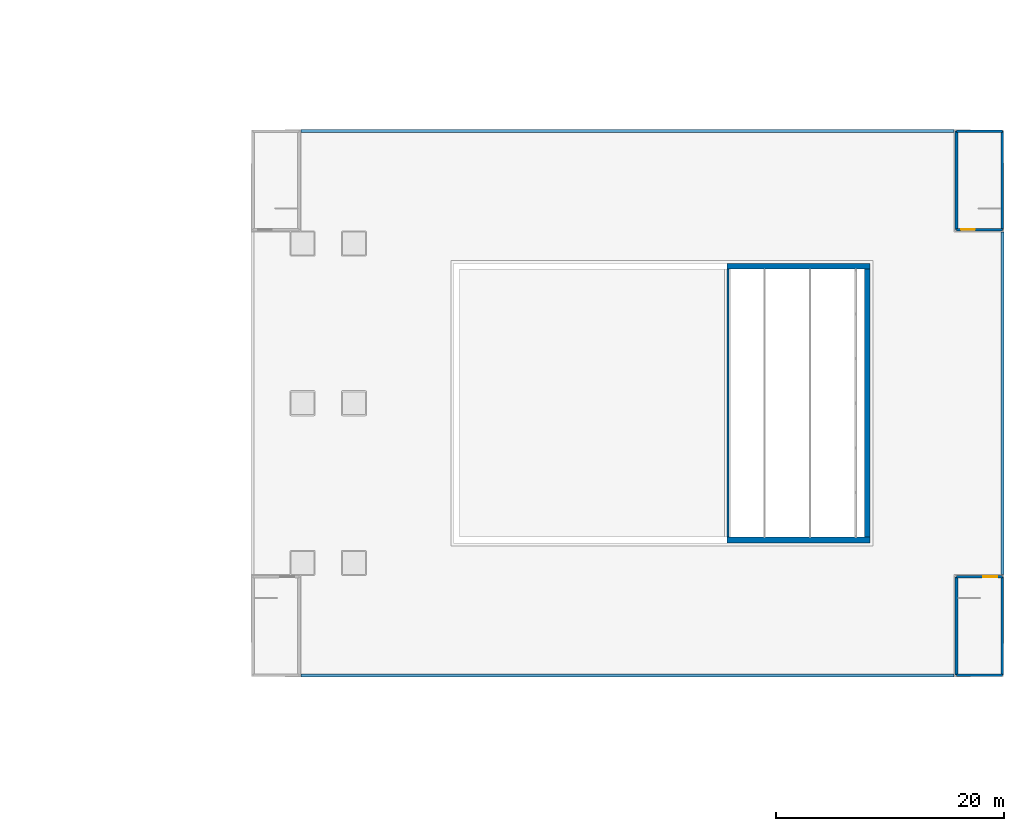
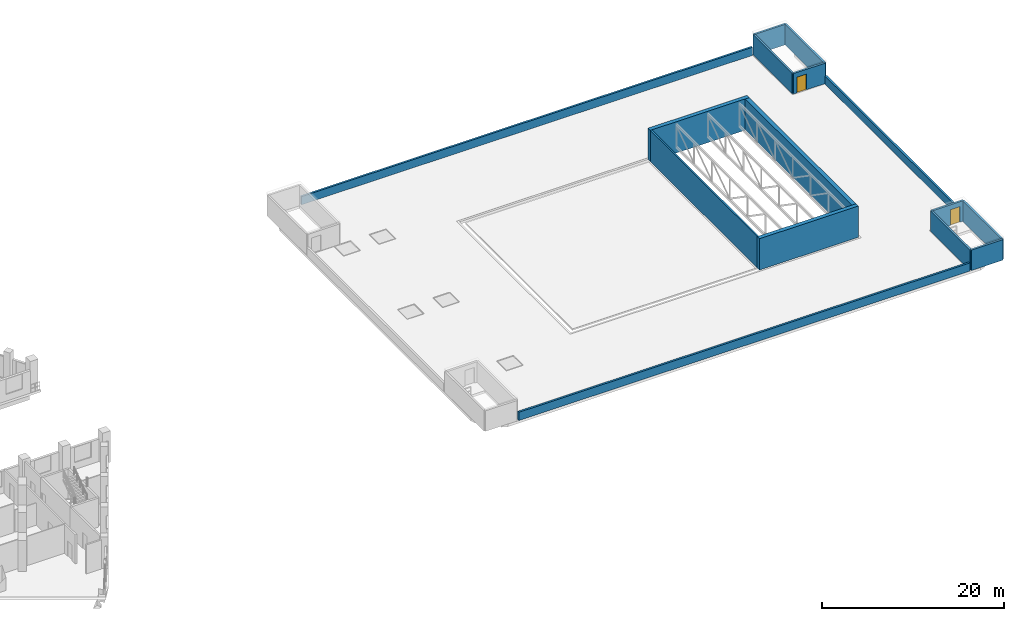
# One storey, part 25 of 33: 15 walls, 2 doors, 2 openings.
"""IFC4 building model written with IfcOpenShell, lengths in metres."""

import ifcopenshell
import ifcopenshell.guid

model = None  # the IFC model being written
_history = None  # IfcOwnerHistory: only IFC2X3 demands one
_inside = {}  # id of a spatial element -> (the spatial element, [elements in it])
_under = {}  # id of a project, library or spatial element -> (it, [spatial elements below it])
_declared = {}  # id of a project -> (the project, [libraries it declares])
_typed = {}  # id of a type object -> (the type object, [elements of that type])
_made_of = {}  # id of a material, layer set ... -> (it, [elements and type objects made of it])


def new_model(schema):
    """Start an empty IFC model of exactly this schema.

    Asked for "IFC4X3", IfcOpenShell would pick the latest addendum, in which some entities
    have other attributes; the version numbers below select the first issue.
    IFC2X3 requires an IfcOwnerHistory on every rooted entity: one is made here for all.
    """
    global model, _history
    if schema == "IFC4X3":
        model = ifcopenshell.file(schema_version=(4, 3, 0, 0))
    else:
        model = ifcopenshell.file(schema=schema)
    _inside.clear()
    _under.clear()
    _declared.clear()
    _typed.clear()
    _made_of.clear()
    _history = None
    if model.schema == "IFC2X3":
        org = make("IfcOrganization", Name="unknown")
        user = make(
            "IfcPersonAndOrganization",
            ThePerson=make("IfcPerson", FamilyName="unknown"),
            TheOrganization=org,
        )
        app = make(
            "IfcApplication",
            ApplicationDeveloper=org,
            Version="unknown",
            ApplicationFullName="unknown",
            ApplicationIdentifier="unknown",
        )
        _history = make(
            "IfcOwnerHistory",
            OwningUser=user,
            OwningApplication=app,
            ChangeAction="ADDED",
            CreationDate=0,
        )
    return model


def make(cls, **values):
    """One entity of the class cls with the attributes given. An attribute that is None is left unset."""
    return model.create_entity(
        cls, **{name: value for name, value in values.items() if value is not None}
    )


def rooted(cls, **values):
    """An entity with a GlobalId (a new one), such as an element, a storey or a relation."""
    return make(cls, GlobalId=ifcopenshell.guid.new(), OwnerHistory=_history, **values)


def si_unit(unit_type, name, prefix=None):
    """IfcSIUnit, for example si_unit("LENGTHUNIT", "METRE", prefix="MILLI")."""
    return make("IfcSIUnit", UnitType=unit_type, Prefix=prefix, Name=name)


def assignment(units):
    """IfcUnitAssignment: the units of a project."""
    return None if units is None else make("IfcUnitAssignment", Units=units)


def point(xyz):
    """IfcCartesianPoint."""
    return None if xyz is None else make("IfcCartesianPoint", Coordinates=xyz)


def direction(xyz):
    """IfcDirection."""
    return None if xyz is None else make("IfcDirection", DirectionRatios=xyz)


def frame(location, z_axis=None, x_axis=None):
    """IfcAxis2Placement3D, a coordinate frame: its origin and axes. An axis left out is left unset."""
    return make(
        "IfcAxis2Placement3D",
        Location=point(location),
        Axis=direction(z_axis),
        RefDirection=direction(x_axis),
    )


def frame_2d(location, x_axis=None):
    """IfcAxis2Placement2D, a coordinate frame in the plane: its origin and x axis."""
    return make(
        "IfcAxis2Placement2D", Location=point(location), RefDirection=direction(x_axis)
    )


def origin():
    """The frame at (0, 0, 0) with its axes left unset."""
    return frame((0.0, 0.0, 0.0))


def place(relative_to, where):
    """IfcLocalPlacement: puts the frame where relative to a parent placement (None: the world)."""
    return make(
        "IfcLocalPlacement", PlacementRelTo=relative_to, RelativePlacement=where
    )


def context(
    kind, dimensions, precision=None, world=None, true_north=None, identifier=None
):
    """IfcGeometricRepresentationContext, for example the 3D "Model" context."""
    return make(
        "IfcGeometricRepresentationContext",
        ContextIdentifier=identifier,
        ContextType=kind,
        CoordinateSpaceDimension=dimensions,
        Precision=precision,
        WorldCoordinateSystem=world,
        TrueNorth=true_north,
    )


def subcontext(parent, identifier, kind, view, scale=None):
    """IfcGeometricRepresentationSubContext, for example "Body" below "Model"."""
    return make(
        "IfcGeometricRepresentationSubContext",
        ContextIdentifier=identifier,
        ContextType=kind,
        ParentContext=parent,
        TargetScale=scale,
        TargetView=view,
    )


def project(units=None, contexts=None):
    """IfcProject with its units and contexts."""
    return rooted(
        "IfcProject",
        Name="project",
        RepresentationContexts=contexts,
        UnitsInContext=assignment(units),
    )


def spatial(cls, under=None, at=None, **own):
    """A site, building, storey or space (cls), placed at a placement, below another one or the project."""
    s = rooted(cls, ObjectPlacement=at, **own)
    if under is not None:
        _under.setdefault(under.id(), (under, []))[1].append(s)
    return s


def profile(cls, at=None, kind="AREA", **sizes):
    """A parametric profile (cls). Its sizes go by their IFC names, for example OverallWidth=200.0."""
    return make(cls, ProfileType=kind, Position=at, **sizes)


def rectangle(**sizes):
    """IfcRectangleProfileDef."""
    return profile("IfcRectangleProfileDef", **sizes)


def extrude(swept, where, along, depth):
    """IfcExtrudedAreaSolid: the profile swept, set in the frame where, extruded along a direction by depth."""
    return make(
        "IfcExtrudedAreaSolid",
        SweptArea=swept,
        Position=where,
        ExtrudedDirection=direction(along),
        Depth=depth,
    )


def shape(context_of_items, identifier, shape_type, items):
    """IfcShapeRepresentation: the items that make up one representation, for example the "Body"."""
    return make(
        "IfcShapeRepresentation",
        ContextOfItems=context_of_items,
        RepresentationIdentifier=identifier,
        RepresentationType=shape_type,
        Items=items,
    )


def material(Name=None, Category=None):
    """IfcMaterial."""
    return make("IfcMaterial", Name=Name, Category=Category)


def layer(
    of_material, thickness, ventilated=None, Name=None, Category=None, Priority=None
):
    """IfcMaterialLayer: one layer of a wall or slab, of a material (None: an air gap)."""
    return make(
        "IfcMaterialLayer",
        Material=of_material,
        LayerThickness=thickness,
        IsVentilated=ventilated,
        Name=Name,
        Category=Category,
        Priority=Priority,
    )


def layer_set(layers, Name=None):
    """IfcMaterialLayerSet."""
    return make("IfcMaterialLayerSet", MaterialLayers=layers, LayerSetName=Name)


def made_of(thing, what):
    """Note that an element or type object is made of a material, layer set ...; save() writes the relation."""
    if what is not None:
        _made_of.setdefault(what.id(), (what, []))[1].append(thing)
    return thing


def type_object(cls, material=None, **own):
    """A type object (cls), such as IfcWallType, which elements share."""
    return made_of(rooted(cls, **own), material)


def element(
    cls,
    number,
    at=None,
    inside=None,
    cuts=None,
    type_object=None,
    material=None,
    context=None,
    identifier="Body",
    shape_type=None,
    held_by="IfcProductDefinitionShape",
    body=None,
    shapes=None,
    **own,
):
    """One element of the class cls, such as IfcWall. Its Tag is "e" and its number.

    at: its placement. inside: the storey or other place that contains it. cuts: it is an
    opening in that element (IfcRelVoidsElement). A single representation is given by context,
    identifier, shape_type and body (its items); several are given by shapes. held_by: the class
    of the entity that holds the representations. save() writes the other relations.
    """
    e = rooted(cls, Tag="e%d" % number, ObjectPlacement=at, **own)
    if body is not None:
        shapes = [shape(context, identifier, shape_type, body)]
    if shapes is not None:
        e.Representation = make(held_by, Representations=shapes)
    if inside is not None:
        _inside.setdefault(inside.id(), (inside, []))[1].append(e)
    if cuts is not None:
        rooted(
            "IfcRelVoidsElement", RelatingBuildingElement=cuts, RelatedOpeningElement=e
        )
    if type_object is not None:
        _typed.setdefault(type_object.id(), (type_object, []))[1].append(e)
    return made_of(e, material)


def fill(opening, filler):
    """IfcRelFillsElement: the door or window that sits in an opening."""
    return rooted(
        "IfcRelFillsElement",
        RelatingOpeningElement=opening,
        RelatedBuildingElement=filler,
    )


def aggregate(whole, parts):
    """IfcRelAggregates: a whole, such as a stair, and the parts it consists of."""
    return rooted("IfcRelAggregates", RelatingObject=whole, RelatedObjects=parts)


def save(model, path):
    """Write the relations noted so far, then the file.

    IfcRelAggregates (storeys below a building ...), IfcRelContainedInSpatialStructure (elements
    in a storey), IfcRelDefinesByType, IfcRelAssociatesMaterial and IfcRelDeclares: one each for
    every whole, place, type object, material and project.
    """
    for whole, parts in _under.values():
        aggregate(whole, parts)
    for where, things in _inside.values():
        rooted(
            "IfcRelContainedInSpatialStructure",
            RelatedElements=things,
            RelatingStructure=where,
        )
    for kind, things in _typed.values():
        rooted("IfcRelDefinesByType", RelatedObjects=things, RelatingType=kind)
    for what, things in _made_of.values():
        rooted("IfcRelAssociatesMaterial", RelatedObjects=things, RelatingMaterial=what)
    for by, libraries in _declared.values():
        rooted("IfcRelDeclares", RelatingContext=by, RelatedDefinitions=libraries)
    model.write(path)


model = new_model("IFC4")

# Units and contexts
model_context = context("Model", 3, precision=1e-05, world=origin(), true_north=direction((0.0, 1.0)))
body_context = subcontext(model_context, "Body", "Model", "MODEL_VIEW")
ifc_project = project(units=[si_unit("LENGTHUNIT", "METRE"), si_unit("AREAUNIT", "SQUARE_METRE"), si_unit("VOLUMEUNIT", "CUBIC_METRE"), si_unit("PLANEANGLEUNIT", "RADIAN"), si_unit("MASSUNIT", "GRAM", prefix="KILO")], contexts=[model_context])

# Site, building, storey
site_placement = place(None, origin())
site = spatial("IfcSite", under=ifc_project, at=site_placement, CompositionType="ELEMENT")
building_placement = place(site_placement, origin())
building = spatial("IfcBuilding", under=site, at=building_placement, Name="Nakaniwa Court", CompositionType="ELEMENT")
storey_placement = place(building_placement, frame((0.0, 0.0, 19.800048828125)))
storey = spatial("IfcBuildingStorey", under=building, at=storey_placement, Name="L04", CompositionType="ELEMENT", Elevation=19.800048828125)

# Walls
ifc_material_1 = material(Name="Concrete C50/60", Category="concrete")
ifc_layer_1 = layer(ifc_material_1, 0.25)
ifc_layer_set_1 = layer_set([ifc_layer_1], Name="Concrete C50/60")
wall_type_1 = type_object("IfcWallType", Name="Fair faced concrete parapet 250", PredefinedType="PARAPET", material=ifc_layer_set_1)
wall_1_placement = place(storey_placement, frame((156.375, 103.875, 0.0), z_axis=(0.0, 0.0, 1.0), x_axis=(1.0, 0.0, 0.0)))
element("IfcWall", 1, at=wall_1_placement, inside=storey, type_object=wall_type_1, Name="Roof parapet 2", PredefinedType="PARAPET", context=body_context, shape_type="SweptSolid", body=[
    extrude(rectangle(XDim=57.25, YDim=0.25, at=frame_2d((28.625, 0.0))), origin(), (0.0, 0.0, 1.0), 1.099853515625),
])
wall_2_placement = place(storey_placement, frame((217.875, 95.014892578125, 0.0), z_axis=(0.0, 0.0, 1.0), x_axis=(0.0, -1.0, 0.0)))
element("IfcWall", 2, at=wall_2_placement, inside=storey, type_object=wall_type_1, Name="Roof parapet 3", PredefinedType="PARAPET", context=body_context, shape_type="SweptSolid", body=[
    extrude(rectangle(XDim=30.02978515625, YDim=0.25, at=frame_2d((15.014892578125, 0.0))), origin(), (0.0, 0.0, 1.0), 1.099853515625),
])
wall_3_placement = place(storey_placement, frame((213.625, 56.125, 0.0), z_axis=(0.0, 0.0, 1.0), x_axis=(-1.0, 0.0, 0.0)))
element("IfcWall", 3, at=wall_3_placement, inside=storey, type_object=wall_type_1, Name="Roof parapet 4", PredefinedType="PARAPET", context=body_context, shape_type="SweptSolid", body=[
    extrude(rectangle(XDim=57.25, YDim=0.25, at=frame_2d((28.625, 0.0))), origin(), (0.0, 0.0, 1.0), 1.099853515625),
])
ifc_material_2 = material(Name="Precast concrete C50/60 sandwich panel wall with insulation", Category="concrete")
ifc_layer_2 = layer(ifc_material_2, 0.199951171875)
ifc_layer_set_2 = layer_set([ifc_layer_2], Name="Precast concrete C50/60 sandwich panel wall with insulation")
wall_type_2 = type_object("IfcWallType", Name="Fly tower insulated cladding wall 200", PredefinedType="SOLIDWALL", material=ifc_layer_set_2)
wall_4_placement = place(storey_placement, frame((193.800048828125, 91.75, 0.0), z_axis=(0.0, 0.0, 1.0), x_axis=(0.0, -1.0, 0.0)))
element("IfcWall", 4, at=wall_4_placement, inside=storey, type_object=wall_type_2, Name="Stage house west cladding wall L04", PredefinedType="SOLIDWALL", context=body_context, shape_type="SweptSolid", body=[
    extrude(rectangle(XDim=23.5, YDim=0.199951171875, at=frame_2d((11.75, 0.0))), origin(), (0.0, 0.0, 1.0), 4.199951171875),
])
ifc_layer_3 = layer(ifc_material_1, 0.5)
ifc_layer_set_3 = layer_set([ifc_layer_3], Name="Concrete C50/60")
wall_type_3 = type_object("IfcWallType", Name="Stage house reinforced concrete wall 500", PredefinedType="SHEAR", material=ifc_layer_set_3)
for number, where, z_axis, x_axis, name in (
    (5, (206.25, 68.0, 0.0), (0.0, 0.0, 1.0), (-1.0, 0.0, 0.0), "Stage house south wall L04"),
    (6, (193.699951171875, 92.0, 0.0), (0.0, 0.0, 1.0), (1.0, 0.0, 0.0), "Stage house north wall L04"),
):
    element("IfcWall", number, at=place(storey_placement, frame(where, z_axis=z_axis, x_axis=x_axis)), inside=storey, type_object=wall_type_3, Name=name, PredefinedType="SHEAR", context=body_context, shape_type="SweptSolid", body=[
        extrude(rectangle(XDim=12.550048828125, YDim=0.5, at=frame_2d((6.27490234375, 0.0))), origin(), (0.0, 0.0, 1.0), 4.199951171875),
    ])
wall_5_placement = place(storey_placement, frame((206.0, 91.75, 0.0), z_axis=(0.0, 0.0, 1.0), x_axis=(0.0, -1.0, 0.0)))
element("IfcWall", 7, at=wall_5_placement, inside=storey, type_object=wall_type_3, Name="Stage house east wall L04", PredefinedType="SHEAR", context=body_context, shape_type="SweptSolid", body=[
    extrude(rectangle(XDim=23.5, YDim=0.5, at=frame_2d((11.75, 0.0))), origin(), (0.0, 0.0, 1.0), 4.199951171875),
])
ifc_material_3 = material(Name="Concrete C40/50", Category="concrete")
ifc_layer_4 = layer(ifc_material_3, 0.25)
ifc_layer_set_4 = layer_set([ifc_layer_4], Name="Concrete C40/50")
wall_type_4 = type_object("IfcWallType", Name="Stair head house wall RC 250", PredefinedType="SOLIDWALL", material=ifc_layer_set_4)
wall_6_placement = place(storey_placement, frame((217.85009765625, 56.14990234375, 0.0), z_axis=(0.0, 0.0, 1.0), x_axis=(-1.0, 0.0, 0.0)))
element("IfcWall", 8, at=wall_6_placement, inside=storey, type_object=wall_type_4, Name="Stair 3 head house wall S", PredefinedType="SOLIDWALL", context=body_context, shape_type="SweptSolid", body=[
    extrude(rectangle(XDim=4.025146484375, YDim=0.25, at=frame_2d((2.0126953125, 0.0))), origin(), (0.0, 0.0, 1.0), 2.75),
])
wall_7_placement = place(storey_placement, frame((213.824951171875, 56.14990234375, 0.0), z_axis=(0.0, 0.0, 1.0), x_axis=(0.0, 1.0, 0.0)))
element("IfcWall", 9, at=wall_7_placement, inside=storey, type_object=wall_type_4, Name="Stair 3 head house wall W", PredefinedType="SOLIDWALL", context=body_context, shape_type="SweptSolid", body=[
    extrude(rectangle(XDim=8.635009765625, YDim=0.25, at=frame_2d((4.3173828125, 0.0))), origin(), (0.0, 0.0, 1.0), 2.75),
])

# Wall, opening, door
wall_8_placement = place(storey_placement, frame((213.824951171875, 64.784912109375, 0.0), z_axis=(0.0, 0.0, 1.0), x_axis=(1.0, 0.0, 0.0)))
wall_8 = element("IfcWall", 10, at=wall_8_placement, inside=storey, type_object=wall_type_4, Name="Stair 3 head house wall N", PredefinedType="SOLIDWALL", context=body_context, shape_type="SweptSolid", body=[
    extrude(rectangle(XDim=4.025146484375, YDim=0.25, at=frame_2d((2.0126953125, 0.0))), origin(), (0.0, 0.0, 1.0), 2.75),
])
opening_1_placement = place(wall_8_placement, frame((2.375, 0.0, 0.0)))
opening_1 = element("IfcOpeningElement", 11, at=opening_1_placement, cuts=wall_8, Name="Opening HD-130", PredefinedType="OPENING", context=body_context, shape_type="SweptSolid", body=[
    extrude(rectangle(XDim=1.199951171875, YDim=2.10009765625, at=frame_2d((0.60009765625, 1.050048828125))), frame((0.0, 0.135009765625, 0.0), z_axis=(0.0, -1.0, 0.0), x_axis=(1.0, 0.0, 0.0)), (0.0, 0.0, 1.0), 0.27001953125),
])
ifc_material_4 = material(Name="Insulated steel door leaf in steel frame", Category="steel")
door_type = type_object("IfcDoorType", Name="Hall stair door 1200x2100", OperationType="SINGLE_SWING_LEFT", PredefinedType="DOOR", material=ifc_material_4)
door_1_placement = place(opening_1_placement, frame((1.199951171875, 0.0, 0.0), z_axis=(0.0, 0.0, 1.0), x_axis=(-1.0, 0.0, 0.0)))
door_1 = element("IfcDoor", 12, at=door_1_placement, inside=storey, type_object=door_type, Name="L04 door roof-H3", OperationType="SINGLE_SWING_LEFT", OverallHeight=2.10009765625, OverallWidth=1.199951171875, PredefinedType="DOOR", context=body_context, shape_type="SweptSolid", body=[
    extrude(rectangle(XDim=1.199951171875, YDim=2.10009765625, at=frame_2d((0.60009765625, 1.050048828125))), frame((0.0, 0.02490234375, 0.0), z_axis=(0.0, -1.0, 0.0), x_axis=(1.0, 0.0, 0.0)), (0.0, 0.0, 1.0), 0.050048828125),
])
fill(opening_1, door_1)

# Wall
wall_9_placement = place(storey_placement, frame((217.85009765625, 64.784912109375, 0.0), z_axis=(0.0, 0.0, 1.0), x_axis=(0.0, -1.0, 0.0)))
element("IfcWall", 13, at=wall_9_placement, inside=storey, type_object=wall_type_4, Name="Stair 3 head house wall E", PredefinedType="SOLIDWALL", context=body_context, shape_type="SweptSolid", body=[
    extrude(rectangle(XDim=8.635009765625, YDim=0.25, at=frame_2d((4.3173828125, 0.0))), origin(), (0.0, 0.0, 1.0), 2.75),
])

# Wall, opening, door
wall_10_placement = place(storey_placement, frame((217.85009765625, 95.215087890625, 0.0), z_axis=(0.0, 0.0, 1.0), x_axis=(-1.0, 0.0, 0.0)))
wall_10 = element("IfcWall", 14, at=wall_10_placement, inside=storey, type_object=wall_type_4, Name="Stair 4 head house wall S", PredefinedType="SOLIDWALL", context=body_context, shape_type="SweptSolid", body=[
    extrude(rectangle(XDim=4.025146484375, YDim=0.25, at=frame_2d((2.0126953125, 0.0))), origin(), (0.0, 0.0, 1.0), 2.75),
])
opening_2_placement = place(wall_10_placement, frame((2.39990234375, 0.0, 0.0)))
opening_2 = element("IfcOpeningElement", 15, at=opening_2_placement, cuts=wall_10, Name="Opening HD-131", PredefinedType="OPENING", context=body_context, shape_type="SweptSolid", body=[
    extrude(rectangle(XDim=1.199951171875, YDim=2.10009765625, at=frame_2d((0.60009765625, 1.050048828125))), frame((0.0, 0.135009765625, 0.0), z_axis=(0.0, -1.0, 0.0), x_axis=(1.0, 0.0, 0.0)), (0.0, 0.0, 1.0), 0.27001953125),
])
door_2_placement = place(opening_2_placement, frame((1.199951171875, 0.0, 0.0), z_axis=(0.0, 0.0, 1.0), x_axis=(-1.0, 0.0, 0.0)))
door_2 = element("IfcDoor", 16, at=door_2_placement, inside=storey, type_object=door_type, Name="L04 door roof-H4", OperationType="SINGLE_SWING_LEFT", OverallHeight=2.10009765625, OverallWidth=1.199951171875, PredefinedType="DOOR", context=body_context, shape_type="SweptSolid", body=[
    extrude(rectangle(XDim=1.199951171875, YDim=2.10009765625, at=frame_2d((0.60009765625, 1.050048828125))), frame((0.0, 0.02490234375, 0.0), z_axis=(0.0, -1.0, 0.0), x_axis=(1.0, 0.0, 0.0)), (0.0, 0.0, 1.0), 0.050048828125),
])
fill(opening_2, door_2)

# Walls
wall_11_placement = place(storey_placement, frame((213.824951171875, 95.215087890625, 0.0), z_axis=(0.0, 0.0, 1.0), x_axis=(0.0, 1.0, 0.0)))
element("IfcWall", 17, at=wall_11_placement, inside=storey, type_object=wall_type_4, Name="Stair 4 head house wall W", PredefinedType="SOLIDWALL", context=body_context, shape_type="SweptSolid", body=[
    extrude(rectangle(XDim=8.635009765625, YDim=0.25, at=frame_2d((4.3173828125, 0.0))), origin(), (0.0, 0.0, 1.0), 2.75),
])
wall_12_placement = place(storey_placement, frame((213.824951171875, 103.85009765625, 0.0), z_axis=(0.0, 0.0, 1.0), x_axis=(1.0, 0.0, 0.0)))
element("IfcWall", 18, at=wall_12_placement, inside=storey, type_object=wall_type_4, Name="Stair 4 head house wall N", PredefinedType="SOLIDWALL", context=body_context, shape_type="SweptSolid", body=[
    extrude(rectangle(XDim=4.025146484375, YDim=0.25, at=frame_2d((2.0126953125, 0.0))), origin(), (0.0, 0.0, 1.0), 2.75),
])
wall_13_placement = place(storey_placement, frame((217.85009765625, 103.85009765625, 0.0), z_axis=(0.0, 0.0, 1.0), x_axis=(0.0, -1.0, 0.0)))
element("IfcWall", 19, at=wall_13_placement, inside=storey, type_object=wall_type_4, Name="Stair 4 head house wall E", PredefinedType="SOLIDWALL", context=body_context, shape_type="SweptSolid", body=[
    extrude(rectangle(XDim=8.635009765625, YDim=0.25, at=frame_2d((4.3173828125, 0.0))), origin(), (0.0, 0.0, 1.0), 2.75),
])

save(model, "model.ifc")
